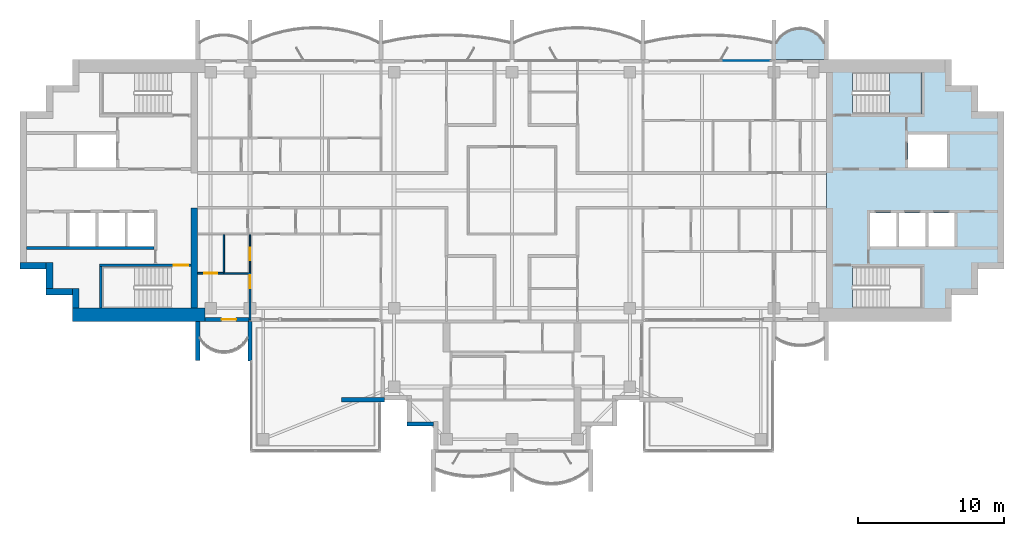
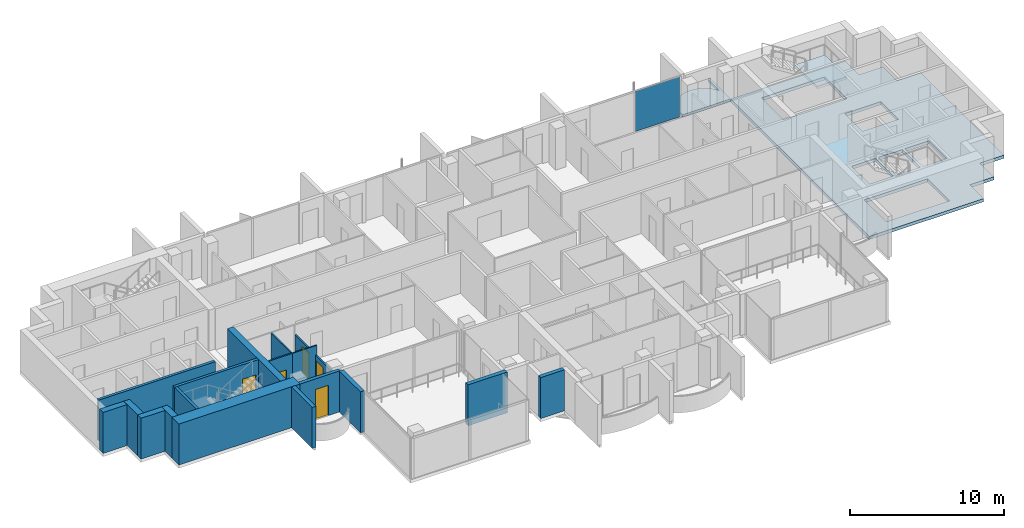
# One storey, part 6 of 16: 19 walls, 5 doors, 3 slabs, 1 plate, 5 openings, 2 elements without a shape of their own.
"""IFC4 building model written with IfcOpenShell, lengths in metres."""

from ifc_helpers import new_model, si_unit, direction, frame, frame_2d, origin, origin_2d, place, context, subcontext, project, spatial, polyline, rectangle, outline, extrude, material, layer, layer_set, type_object, element, fill, aggregate, save


model = new_model("IFC4")

# Units and contexts
model_context = context("Model", 3, precision=1e-05, world=origin(), true_north=direction((0.0, 1.0)))
body_context = subcontext(model_context, "Body", "Model", "MODEL_VIEW")
ifc_project = project(units=[si_unit("LENGTHUNIT", "METRE"), si_unit("AREAUNIT", "SQUARE_METRE"), si_unit("VOLUMEUNIT", "CUBIC_METRE"), si_unit("PLANEANGLEUNIT", "RADIAN"), si_unit("MASSUNIT", "GRAM", prefix="KILO")], contexts=[model_context])

# Site, building, storey
site_placement = place(None, origin())
site = spatial("IfcSite", under=ifc_project, at=site_placement, CompositionType="ELEMENT")
building_placement = place(site_placement, origin())
building = spatial("IfcBuilding", under=site, at=building_placement, Name="Perihelion Cross Residences", CompositionType="ELEMENT")
storey_placement = place(building_placement, frame((0.0, 0.0, 267.5)))
storey = spatial("IfcBuildingStorey", under=building, at=storey_placement, Name="L68", CompositionType="ELEMENT", Elevation=267.5)

# Slab
ifc_material_1 = material(Name="Concrete C40/50", Category="concrete")
ifc_layer_1 = layer(ifc_material_1, 0.199951171875)
ifc_layer_set_1 = layer_set([ifc_layer_1], Name="Balcony slab 200")
slab_type_1 = type_object("IfcSlabType", Name="Balcony slab 200", PredefinedType="FLOOR", material=ifc_layer_set_1)
slab_1_placement = place(storey_placement, frame((0.0, 0.0, -0.199951171875)))
element("IfcSlab", 1, at=slab_1_placement, inside=storey, type_object=slab_type_1, Name="Slab BK1 L68 east side north bay 1 balcony", PredefinedType="FLOOR", context=body_context, shape_type="SweptSolid", body=[
    extrude(outline(polyline([(21.60009765625, 9.0), (18.0, 9.0), (18.0, 11.699951171875), (18.14990234375, 11.699951171875), (18.14990234375, 10.199951171875), (18.425048828125, 10.568603515625), (18.699951171875, 10.806396484375), (18.97509765625, 10.96875), (19.25, 11.07568359375), (19.52490234375, 11.136962890625), (19.800048828125, 11.156982421875), (20.074951171875, 11.136962890625), (20.35009765625, 11.07568359375), (20.625, 10.96875), (20.89990234375, 10.806396484375), (21.175048828125, 10.568603515625), (21.449951171875, 10.199951171875), (21.449951171875, 11.699951171875), (21.60009765625, 11.699951171875), (21.60009765625, 9.0)])), origin(), (0.0, 0.0, 1.0), 0.199951171875),
])

# Curtain wall, plate
ifc_material_2 = material(Name="Bronze anodised aluminium, tinted glazing", Category="aluminium")
curtain_wall_type = type_object("IfcCurtainWallType", Name="CW1", PredefinedType="NOTDEFINED", material=ifc_material_2)
curtain_wall_placement = place(storey_placement, origin())
curtain_wall = element("IfcCurtainWall", 2, at=curtain_wall_placement, inside=storey, type_object=curtain_wall_type, Name="Curtain wall CW1 L68 east side north bay 2", PredefinedType="NOTDEFINED")
ifc_material_3 = material(Name="Tinted laminated glass", Category="glass")
ifc_layer_2 = layer(ifc_material_3, 0.028076171875)
ifc_layer_set_2 = layer_set([ifc_layer_2], Name="CW1 panel")
plate_type = type_object("IfcPlateType", Name="CW1 panel", PredefinedType="CURTAIN_PANEL", material=ifc_layer_set_2)
plate_placement = place(storey_placement, frame((16.06005859375, 8.89990234375, 0.0), z_axis=(0.0, 0.0, 1.0), x_axis=(-1.0, 0.0, 0.0)))
plate = element("IfcPlate", 3, at=plate_placement, type_object=plate_type, Name="CW1 panel 1", PredefinedType="CURTAIN_PANEL", context=body_context, shape_type="SweptSolid", body=[
    extrude(rectangle(XDim=3.360107421875, YDim=0.028076171875, at=origin_2d()), origin(), (0.0, 0.0, 1.0), 3.18994140625),
])
aggregate(curtain_wall, [plate])

# Slab
ifc_material_4 = material(Name="Concrete C40/50", Category="concrete")
ifc_layer_3 = layer(ifc_material_4, 0.25)
ifc_layer_set_3 = layer_set([ifc_layer_3], Name="Core floor slab 250")
slab_type_2 = type_object("IfcSlabType", Name="Core floor slab 250", PredefinedType="FLOOR", material=ifc_layer_set_3)
slab_2_placement = place(storey_placement, frame((0.0, 0.0, -0.25)))
element("IfcSlab", 4, at=slab_2_placement, inside=storey, type_object=slab_type_2, Name="East core floor slab", PredefinedType="FLOOR", context=body_context, shape_type="SweptSolid", body=[
    extrude(outline(polyline([(30.199951171875, 7.199951171875), (32.0, 7.199951171875), (32.0, 5.39990234375), (33.800048828125, 5.39990234375), (33.800048828125, -5.39990234375), (32.0, -5.39990234375), (32.0, -7.199951171875), (30.199951171875, -7.199951171875), (30.199951171875, -9.0), (21.60009765625, -9.0), (21.60009765625, 9.0), (30.199951171875, 9.0), (30.199951171875, 7.199951171875)]), holes=[polyline([(28.14990234375, -8.10009765625), (28.14990234375, -5.25), (23.405029296875, -5.25), (23.405029296875, -8.10009765625), (28.14990234375, -8.10009765625)]), polyline([(24.60009765625, -1.550048828125), (24.60009765625, -3.85009765625), (26.39990234375, -3.85009765625), (26.39990234375, -1.550048828125), (24.60009765625, -1.550048828125)]), polyline([(26.60009765625, -1.550048828125), (26.60009765625, -3.85009765625), (28.39990234375, -3.85009765625), (28.39990234375, -1.550048828125), (26.60009765625, -1.550048828125)]), polyline([(28.60009765625, -3.85009765625), (30.39990234375, -3.85009765625), (30.39990234375, -1.550048828125), (28.60009765625, -1.550048828125), (28.60009765625, -3.85009765625)]), polyline([(27.199951171875, 3.85009765625), (27.199951171875, 1.550048828125), (29.89990234375, 1.550048828125), (29.89990234375, 3.85009765625), (27.199951171875, 3.85009765625)]), polyline([(23.405029296875, 5.25), (28.14990234375, 5.25), (28.14990234375, 8.10009765625), (23.405029296875, 8.10009765625), (23.405029296875, 5.25)])]), origin(), (0.0, 0.0, 1.0), 0.25),
])

# Stair, slab
ifc_material_5 = material(Name="Concrete C40/50", Category="concrete")
stair_type = type_object("IfcStairType", Name="Exit stair, half-turn", PredefinedType="HALF_TURN_STAIR", material=ifc_material_5)
stair_placement = place(storey_placement, origin())
stair = element("IfcStair", 5, at=stair_placement, inside=storey, type_object=stair_type, Name="L68 East core exit stair 1", PredefinedType="HALF_TURN_STAIR")
ifc_material_6 = material(Name="Concrete C40/50", Category="concrete")
ifc_layer_4 = layer(ifc_material_6, 0.199951171875)
ifc_layer_set_4 = layer_set([ifc_layer_4], Name="Exit stair landing 200")
slab_type_3 = type_object("IfcSlabType", Name="Exit stair landing 200", PredefinedType="LANDING", material=ifc_layer_set_4)
slab_3_placement = place(storey_placement, frame((0.0, 0.0, 1.550048828125)))
slab_3 = element("IfcSlab", 6, at=slab_3_placement, type_object=slab_type_3, Name="ST-E1 landing 1", PredefinedType="LANDING", context=body_context, shape_type="SweptSolid", body=[
    extrude(outline(polyline([(25.919921875, 5.25), (28.14990234375, 5.25), (28.14990234375, 8.10009765625), (25.919921875, 8.10009765625), (25.919921875, 5.25)])), origin(), (0.0, 0.0, 1.0), 0.199951171875),
])
aggregate(stair, [slab_3])

# Wall, opening, door
ifc_material_7 = material(Name="Concrete C30/37, bronze-clad", Category="concrete")
ifc_layer_5 = layer(ifc_material_7, 0.25)
ifc_layer_set_5 = layer_set([ifc_layer_5], Name="Bronze-clad pier wall 250")
wall_type_1 = type_object("IfcWallType", Name="Bronze-clad pier wall 250", PredefinedType="SOLIDWALL", material=ifc_layer_set_5)
wall_1_placement = place(storey_placement, frame((-21.10009765625, -8.875, 0.0), z_axis=(0.0, 0.0, 1.0), x_axis=(1.0, 0.0, 0.0)))
wall_1 = element("IfcWall", 7, at=wall_1_placement, inside=storey, type_object=wall_type_1, Name="Wall FW1 L68 west side south bay 1 pier", PredefinedType="SOLIDWALL", context=body_context, shape_type="SweptSolid", body=[
    extrude(rectangle(XDim=3.0400390625, YDim=0.25, at=frame_2d((1.52001953125, 0.0))), origin(), (0.0, 0.0, 1.0), 3.25),
])
opening_1_placement = place(wall_1_placement, frame((1.14990234375, 0.0, 0.0)))
opening_1 = element("IfcOpeningElement", 8, at=opening_1_placement, cuts=wall_1, Name="Opening L68.E07", PredefinedType="OPENING", context=body_context, shape_type="SweptSolid", body=[
    extrude(rectangle(XDim=1.0, YDim=2.39990234375, at=frame_2d((0.5, 1.199951171875))), frame((0.0, 0.135009765625, 0.0), z_axis=(0.0, -1.0, 0.0), x_axis=(1.0, 0.0, 0.0)), (0.0, 0.0, 1.0), 0.27001953125),
])
ifc_material_8 = material(Name="Bronze anodised aluminium, glazed", Category="aluminium")
door_type_1 = type_object("IfcDoorType", Name="Balcony door 1000 x 2400", OperationType="NOTDEFINED", PredefinedType="DOOR", material=ifc_material_8)
door_1_placement = place(opening_1_placement, origin())
door_1 = element("IfcDoor", 9, at=door_1_placement, inside=storey, type_object=door_type_1, Name="Door L68.E07 west side south bay 1", OperationType="SINGLE_SWING_LEFT", OverallHeight=2.39990234375, OverallWidth=1.0, PredefinedType="DOOR", context=body_context, shape_type="SweptSolid", body=[
    extrude(rectangle(XDim=1.0, YDim=2.39990234375, at=frame_2d((0.5, 1.199951171875))), frame((0.0, 0.02490234375, 0.0), z_axis=(0.0, -1.0, 0.0), x_axis=(1.0, 0.0, 0.0)), (0.0, 0.0, 1.0), 0.050048828125),
])
fill(opening_1, door_1)

# Walls
ifc_material_9 = material(Name="Concrete C30/37, bronze-clad", Category="concrete")
ifc_layer_6 = layer(ifc_material_9, 0.300048828125)
ifc_layer_set_6 = layer_set([ifc_layer_6], Name="Bronze-clad serration wall 300")
wall_type_2 = type_object("IfcWallType", Name="Bronze-clad serration wall 300", PredefinedType="SOLIDWALL", material=ifc_layer_set_6)
wall_2_placement = place(storey_placement, frame((-7.199951171875, -16.050048828125, 0.0), z_axis=(0.0, 0.0, 1.0), x_axis=(1.0, 0.0, 0.0)))
element("IfcWall", 10, at=wall_2_placement, inside=storey, type_object=wall_type_2, Name="Wall SR1 L68 south corner south-west 3", PredefinedType="SOLIDWALL", context=body_context, shape_type="SweptSolid", body=[
    extrude(rectangle(XDim=1.800048828125, YDim=0.300048828125, at=frame_2d((0.89990234375, 0.0))), origin(), (0.0, 0.0, 1.0), 3.25),
])
ifc_material_10 = material(Name="Concrete C60/75", Category="concrete")
ifc_layer_7 = layer(ifc_material_10, 0.449951171875)
ifc_layer_set_7 = layer_set([ifc_layer_7], Name="Core wall, inner 450")
wall_type_3 = type_object("IfcWallType", Name="Core wall, inner 450", PredefinedType="SHEAR", material=ifc_layer_set_7)
wall_3_placement = place(storey_placement, frame((-21.824951171875, -8.10009765625, 0.0), z_axis=(0.0, 0.0, 1.0), x_axis=(0.0, 1.0, 0.0)))
element("IfcWall", 11, at=wall_3_placement, inside=storey, type_object=wall_type_3, Name="West core core wall, inner", PredefinedType="SHEAR", context=body_context, shape_type="SweptSolid", body=[
    extrude(rectangle(XDim=6.900146484375, YDim=0.449951171875, at=frame_2d((3.4501953125, 0.0))), origin(), (0.0, 0.0, 1.0), 3.25),
])
ifc_material_11 = material(Name="Concrete C60/75", Category="concrete")
ifc_layer_8 = layer(ifc_material_11, 0.449951171875)
ifc_layer_set_8 = layer_set([ifc_layer_8], Name="Core wall, outer 450")
wall_type_4 = type_object("IfcWallType", Name="Core wall, outer 450", PredefinedType="SHEAR", material=ifc_layer_set_8)
wall_4_placement = place(storey_placement, frame((-29.97509765625, -8.10009765625, 0.0), z_axis=(0.0, 0.0, 1.0), x_axis=(0.0, 1.0, 0.0)))
element("IfcWall", 12, at=wall_4_placement, inside=storey, type_object=wall_type_4, Name="West core core wall, outer", PredefinedType="SHEAR", context=body_context, shape_type="SweptSolid", body=[
    extrude(rectangle(XDim=1.35009765625, YDim=0.449951171875, at=frame_2d((0.675048828125, 0.0))), origin(), (0.0, 0.0, 1.0), 3.25),
])
for number, where, z_axis, x_axis, name in (
    (13, (-32.0, -6.97509765625, 0.0), (0.0, 0.0, 1.0), (1.0, 0.0, 0.0), "West core core wall, outer"),
    (14, (-31.77490234375, -6.75, 0.0), (0.0, 0.0, 1.0), (0.0, 1.0, 0.0), "West core core wall, outer"),
    (15, (-33.800048828125, -5.175048828125, 0.0), (0.0, 0.0, 1.0), (1.0, 0.0, 0.0), "West core core wall, outer"),
):
    element("IfcWall", number, at=place(storey_placement, frame(where, z_axis=z_axis, x_axis=x_axis)), inside=storey, type_object=wall_type_4, Name=name, PredefinedType="SHEAR", context=body_context, shape_type="SweptSolid", body=[
        extrude(rectangle(XDim=1.800048828125, YDim=0.449951171875, at=frame_2d((0.89990234375, 0.0))), origin(), (0.0, 0.0, 1.0), 3.25),
    ])
ifc_material_12 = material(Name="Concrete C60/75", Category="concrete")
ifc_layer_9 = layer(ifc_material_12, 0.89990234375)
ifc_layer_set_9 = layer_set([ifc_layer_9], Name="Core wall, outer 900")
wall_type_5 = type_object("IfcWallType", Name="Core wall, outer 900", PredefinedType="SHEAR", material=ifc_layer_set_9)
wall_5_placement = place(storey_placement, frame((-30.199951171875, -8.550048828125, 0.0), z_axis=(0.0, 0.0, 1.0), x_axis=(1.0, 0.0, 0.0)))
element("IfcWall", 16, at=wall_5_placement, inside=storey, type_object=wall_type_5, Name="West core core wall, outer", PredefinedType="SHEAR", context=body_context, shape_type="SweptSolid", body=[
    extrude(rectangle(XDim=9.099853515625, YDim=0.89990234375, at=frame_2d((4.5498046875, 0.0))), origin(), (0.0, 0.0, 1.0), 3.25),
])

# Wall, opening, door
ifc_material_13 = material(Name="Plasterboard partition")
ifc_layer_10 = layer(ifc_material_13, 0.1201171875)
ifc_layer_set_10 = layer_set([ifc_layer_10], Name="Partition wall 120")
wall_type_6 = type_object("IfcWallType", Name="Partition wall 120", PredefinedType="PARTITIONING", material=ifc_layer_set_10)
wall_6_placement = place(storey_placement, frame((-18.0, -8.919921875, 0.0), z_axis=(0.0, 0.0, 1.0), x_axis=(0.0, 1.0, 0.0)))
wall_6 = element("IfcWall", 17, at=wall_6_placement, inside=storey, type_object=wall_type_6, Name="Partition L68 W061", PredefinedType="PARTITIONING", context=body_context, shape_type="SweptSolid", body=[
    extrude(rectangle(XDim=3.219970703125, YDim=0.1201171875, at=frame_2d((1.60986328125, 0.0))), origin(), (0.0, 0.0, 1.0), 2.49609375),
])
opening_2_placement = place(wall_6_placement, frame((2.18994140625, 0.0, 0.0)))
opening_2 = element("IfcOpeningElement", 18, at=opening_2_placement, cuts=wall_6, Name="Opening L68.A27", PredefinedType="OPENING", context=body_context, shape_type="SweptSolid", body=[
    extrude(rectangle(XDim=0.89990234375, YDim=2.10009765625, at=frame_2d((0.449951171875, 1.050048828125))), frame((0.0, 0.070068359375, 0.0), z_axis=(0.0, -1.0, 0.0), x_axis=(1.0, 0.0, 0.0)), (0.0, 0.0, 1.0), 0.14013671875),
])
ifc_material_14 = material(Name="Timber door leaf", Category="wood")
door_type_2 = type_object("IfcDoorType", Name="Interior room door 900 x 2100", OperationType="SINGLE_SWING_LEFT", PredefinedType="DOOR", material=ifc_material_14)
door_2_placement = place(opening_2_placement, origin())
door_2 = element("IfcDoor", 19, at=door_2_placement, inside=storey, type_object=door_type_2, Name="Door L68.A27", OperationType="SINGLE_SWING_RIGHT", OverallHeight=2.10009765625, OverallWidth=0.89990234375, PredefinedType="DOOR", context=body_context, shape_type="SweptSolid", body=[
    extrude(rectangle(XDim=0.89990234375, YDim=2.10009765625, at=frame_2d((0.449951171875, 1.050048828125))), frame((0.0, 0.02490234375, 0.0), z_axis=(0.0, -1.0, 0.0), x_axis=(1.0, 0.0, 0.0)), (0.0, 0.0, 1.0), 0.050048828125),
])
fill(opening_2, door_2)

wall_7_placement = place(storey_placement, frame((-19.800048828125, -5.699951171875, 0.0), z_axis=(0.0, 0.0, 1.0), x_axis=(-1.0, 0.0, 0.0)))
wall_7 = element("IfcWall", 20, at=wall_7_placement, inside=storey, type_object=wall_type_6, Name="Partition L68 W065", PredefinedType="PARTITIONING", context=body_context, shape_type="SweptSolid", body=[
    extrude(rectangle(XDim=1.800048828125, YDim=0.1201171875, at=frame_2d((0.89990234375, 0.0))), origin(), (0.0, 0.0, 1.0), 3.25),
])
opening_3_placement = place(wall_7_placement, frame((0.449951171875, 0.0, 0.0)))
opening_3 = element("IfcOpeningElement", 21, at=opening_3_placement, cuts=wall_7, Name="Opening L68.A33", PredefinedType="OPENING", context=body_context, shape_type="SweptSolid", body=[
    extrude(rectangle(XDim=0.89990234375, YDim=2.10009765625, at=frame_2d((0.449951171875, 1.050048828125))), frame((0.0, 0.070068359375, 0.0), z_axis=(0.0, -1.0, 0.0), x_axis=(1.0, 0.0, 0.0)), (0.0, 0.0, 1.0), 0.14013671875),
])
door_3_placement = place(opening_3_placement, origin())
door_3 = element("IfcDoor", 22, at=door_3_placement, inside=storey, type_object=door_type_2, Name="Door L68.A33", OperationType="SINGLE_SWING_RIGHT", OverallHeight=2.10009765625, OverallWidth=0.89990234375, PredefinedType="DOOR", context=body_context, shape_type="SweptSolid", body=[
    extrude(rectangle(XDim=0.89990234375, YDim=2.10009765625, at=frame_2d((0.449951171875, 1.050048828125))), frame((0.0, 0.02490234375, 0.0), z_axis=(0.0, -1.0, 0.0), x_axis=(1.0, 0.0, 0.0)), (0.0, 0.0, 1.0), 0.050048828125),
])
fill(opening_3, door_3)

# Walls
ifc_material_15 = material(Name="Precast concrete C50/60", Category="concrete")
ifc_layer_11 = layer(ifc_material_15, 0.300048828125)
ifc_layer_set_11 = layer_set([ifc_layer_11], Name="Precast concrete C50/60 blade wall 300")
wall_type_7 = type_object("IfcWallType", Name="Precast concrete C50/60 blade wall 300", PredefinedType="SOLIDWALL", material=ifc_layer_set_11)
wall_8_placement = place(storey_placement, frame((-21.60009765625, -9.0, 0.0), z_axis=(0.0, 0.0, 1.0), x_axis=(0.0, -1.0, 0.0)))
element("IfcWall", 23, at=wall_8_placement, inside=storey, type_object=wall_type_7, Name="Wall BL1 L68 no. 3", PredefinedType="SOLIDWALL", context=body_context, shape_type="SweptSolid", body=[
    extrude(rectangle(XDim=2.699951171875, YDim=0.300048828125, at=frame_2d((1.35009765625, 0.0))), origin(), (0.0, 0.0, 1.0), 3.25),
])
wall_9_placement = place(storey_placement, frame((-18.0, -9.0, 0.0), z_axis=(0.0, 0.0, 1.0), x_axis=(0.0, -1.0, 0.0)))
element("IfcWall", 24, at=wall_9_placement, inside=storey, type_object=wall_type_7, Name="Wall BL1 L68 no. 1", PredefinedType="SOLIDWALL", context=body_context, shape_type="SweptSolid", body=[
    extrude(rectangle(XDim=2.739990234375, YDim=0.300048828125, at=frame_2d((1.3701171875, 0.0))), origin(), (0.0, 0.0, 1.0), 3.25),
])
wall_10_placement = place(storey_placement, frame((-8.75, -14.39990234375, 0.0), z_axis=(0.0, 0.0, 1.0), x_axis=(-1.0, 0.0, 0.0)))
element("IfcWall", 25, at=wall_10_placement, inside=storey, type_object=wall_type_7, Name="Wall BL1 L68 no. 6", PredefinedType="SOLIDWALL", context=body_context, shape_type="SweptSolid", body=[
    extrude(rectangle(XDim=2.949951171875, YDim=0.300048828125, at=frame_2d((1.47509765625, 0.0))), origin(), (0.0, 0.0, 1.0), 3.25),
])
ifc_material_16 = material(Name="Concrete C50/60", Category="concrete")
ifc_layer_12 = layer(ifc_material_16, 0.199951171875)
ifc_layer_set_12 = layer_set([ifc_layer_12], Name="Shaft wall 200")
wall_type_8 = type_object("IfcWallType", Name="Shaft wall 200", PredefinedType="SOLIDWALL", material=ifc_layer_set_12)
wall_11_placement = place(storey_placement, frame((-33.35009765625, -3.949951171875, 0.0), z_axis=(0.0, 0.0, 1.0), x_axis=(1.0, 0.0, 0.0)))
element("IfcWall", 26, at=wall_11_placement, inside=storey, type_object=wall_type_8, Name="West core shaft wall", PredefinedType="SOLIDWALL", context=body_context, shape_type="SweptSolid", body=[
    extrude(rectangle(XDim=8.75, YDim=0.199951171875, at=frame_2d((4.375, 0.0))), origin(), (0.0, 0.0, 1.0), 3.25),
])

# Wall, opening, door
ifc_material_17 = material(Name="Concrete C50/60", Category="concrete")
ifc_layer_13 = layer(ifc_material_17, 0.199951171875)
ifc_layer_set_13 = layer_set([ifc_layer_13], Name="Stair wall 200")
wall_type_9 = type_object("IfcWallType", Name="Stair wall 200", PredefinedType="SOLIDWALL", material=ifc_layer_set_13)
wall_12_placement = place(storey_placement, frame((-28.35009765625, -5.14990234375, 0.0), z_axis=(0.0, 0.0, 1.0), x_axis=(1.0, 0.0, 0.0)))
wall_12 = element("IfcWall", 27, at=wall_12_placement, inside=storey, type_object=wall_type_9, Name="West core stair wall", PredefinedType="SOLIDWALL", context=body_context, shape_type="SweptSolid", body=[
    extrude(rectangle(XDim=6.300048828125, YDim=0.199951171875, at=frame_2d((3.14990234375, 0.0))), origin(), (0.0, 0.0, 1.0), 3.25),
])
opening_4_placement = place(wall_12_placement, frame((5.10009765625, 0.0, 0.0)))
opening_4 = element("IfcOpeningElement", 28, at=opening_4_placement, cuts=wall_12, Name="Opening L68.C17", PredefinedType="OPENING", context=body_context, shape_type="SweptSolid", body=[
    extrude(rectangle(XDim=1.0, YDim=2.10009765625, at=frame_2d((0.5, 1.050048828125))), frame((0.0, 0.10986328125, 0.0), z_axis=(0.0, -1.0, 0.0), x_axis=(1.0, 0.0, 0.0)), (0.0, 0.0, 1.0), 0.219970703125),
])
ifc_material_18 = material(Name="Steel, powder coated", Category="steel")
door_type_3 = type_object("IfcDoorType", Name="Stair door 1000", OperationType="SINGLE_SWING_LEFT", PredefinedType="DOOR", material=ifc_material_18)
door_4_placement = place(opening_4_placement, origin())
door_4 = element("IfcDoor", 29, at=door_4_placement, inside=storey, type_object=door_type_3, Name="West core stair door", OperationType="SINGLE_SWING_LEFT", OverallHeight=2.10009765625, OverallWidth=1.0, PredefinedType="DOOR", context=body_context, shape_type="SweptSolid", body=[
    extrude(rectangle(XDim=1.0, YDim=2.10009765625, at=frame_2d((0.5, 1.050048828125))), frame((0.0, 0.02490234375, 0.0), z_axis=(0.0, -1.0, 0.0), x_axis=(1.0, 0.0, 0.0)), (0.0, 0.0, 1.0), 0.050048828125),
])
fill(opening_4, door_4)

# Wall
wall_13_placement = place(storey_placement, frame((-28.25, -8.10009765625, 0.0), z_axis=(0.0, 0.0, 1.0), x_axis=(0.0, 1.0, 0.0)))
element("IfcWall", 30, at=wall_13_placement, inside=storey, type_object=wall_type_9, Name="West core stair wall", PredefinedType="SOLIDWALL", context=body_context, shape_type="SweptSolid", body=[
    extrude(rectangle(XDim=2.85009765625, YDim=0.199951171875, at=frame_2d((1.425048828125, 0.0))), origin(), (0.0, 0.0, 1.0), 3.25),
])

# Wall, opening, door
ifc_material_19 = material(Name="Plasterboard partition")
ifc_layer_14 = layer(ifc_material_19, 0.10009765625)
ifc_layer_set_14 = layer_set([ifc_layer_14], Name="Wet room wall 100")
wall_type_10 = type_object("IfcWallType", Name="Wet room wall 100", PredefinedType="PARTITIONING", material=ifc_layer_set_14)
wall_14_placement = place(storey_placement, frame((-18.0, -5.699951171875, 0.0), z_axis=(0.0, 0.0, 1.0), x_axis=(0.0, 1.0, 0.0)))
wall_14 = element("IfcWall", 31, at=wall_14_placement, inside=storey, type_object=wall_type_10, Name="Partition L68 W060", PredefinedType="PARTITIONING", context=body_context, shape_type="SweptSolid", body=[
    extrude(rectangle(XDim=2.639892578125, YDim=0.10009765625, at=frame_2d((1.31982421875, 0.0))), origin(), (0.0, 0.0, 1.0), 2.49609375),
])
opening_5_placement = place(wall_14_placement, frame((0.89501953125, 0.0, 0.0)))
opening_5 = element("IfcOpeningElement", 32, at=opening_5_placement, cuts=wall_14, Name="Opening L68.A25", PredefinedType="OPENING", context=body_context, shape_type="SweptSolid", body=[
    extrude(rectangle(XDim=0.85009765625, YDim=2.10009765625, at=frame_2d((0.425048828125, 1.050048828125))), frame((0.0, 0.06005859375, 0.0), z_axis=(0.0, -1.0, 0.0), x_axis=(1.0, 0.0, 0.0)), (0.0, 0.0, 1.0), 0.1201171875),
])
ifc_material_20 = material(Name="Timber door leaf", Category="wood")
door_type_4 = type_object("IfcDoorType", Name="Interior bathroom door 850 x 2100", OperationType="SINGLE_SWING_LEFT", PredefinedType="DOOR", material=ifc_material_20)
door_5_placement = place(opening_5_placement, origin())
door_5 = element("IfcDoor", 33, at=door_5_placement, inside=storey, type_object=door_type_4, Name="Door L68.A25", OperationType="SINGLE_SWING_RIGHT", OverallHeight=2.10009765625, OverallWidth=0.85009765625, PredefinedType="DOOR", context=body_context, shape_type="SweptSolid", body=[
    extrude(rectangle(XDim=0.85009765625, YDim=2.10009765625, at=frame_2d((0.425048828125, 1.050048828125))), frame((0.0, 0.02490234375, 0.0), z_axis=(0.0, -1.0, 0.0), x_axis=(1.0, 0.0, 0.0)), (0.0, 0.0, 1.0), 0.050048828125),
])
fill(opening_5, door_5)

# Walls
wall_15_placement = place(storey_placement, frame((-19.800048828125, -5.639892578125, 0.0), z_axis=(0.0, 0.0, 1.0), x_axis=(0.0, 1.0, 0.0)))
element("IfcWall", 34, at=wall_15_placement, inside=storey, type_object=wall_type_10, Name="Partition L68 W063", PredefinedType="PARTITIONING", context=body_context, shape_type="SweptSolid", body=[
    extrude(rectangle(XDim=2.58984375, YDim=0.10009765625, at=frame_2d((1.294921875, 0.0))), origin(), (0.0, 0.0, 1.0), 3.25),
])
wall_16_placement = place(storey_placement, frame((-17.93994140625, -5.699951171875, 0.0), z_axis=(0.0, 0.0, 1.0), x_axis=(-1.0, 0.0, 0.0)))
element("IfcWall", 35, at=wall_16_placement, inside=storey, type_object=wall_type_10, Name="Partition L68 W064", PredefinedType="PARTITIONING", context=body_context, shape_type="SweptSolid", body=[
    extrude(rectangle(XDim=1.860107421875, YDim=0.10009765625, at=frame_2d((0.93017578125, 0.0))), origin(), (0.0, 0.0, 1.0), 3.25),
])

save(model, "model.ifc")
